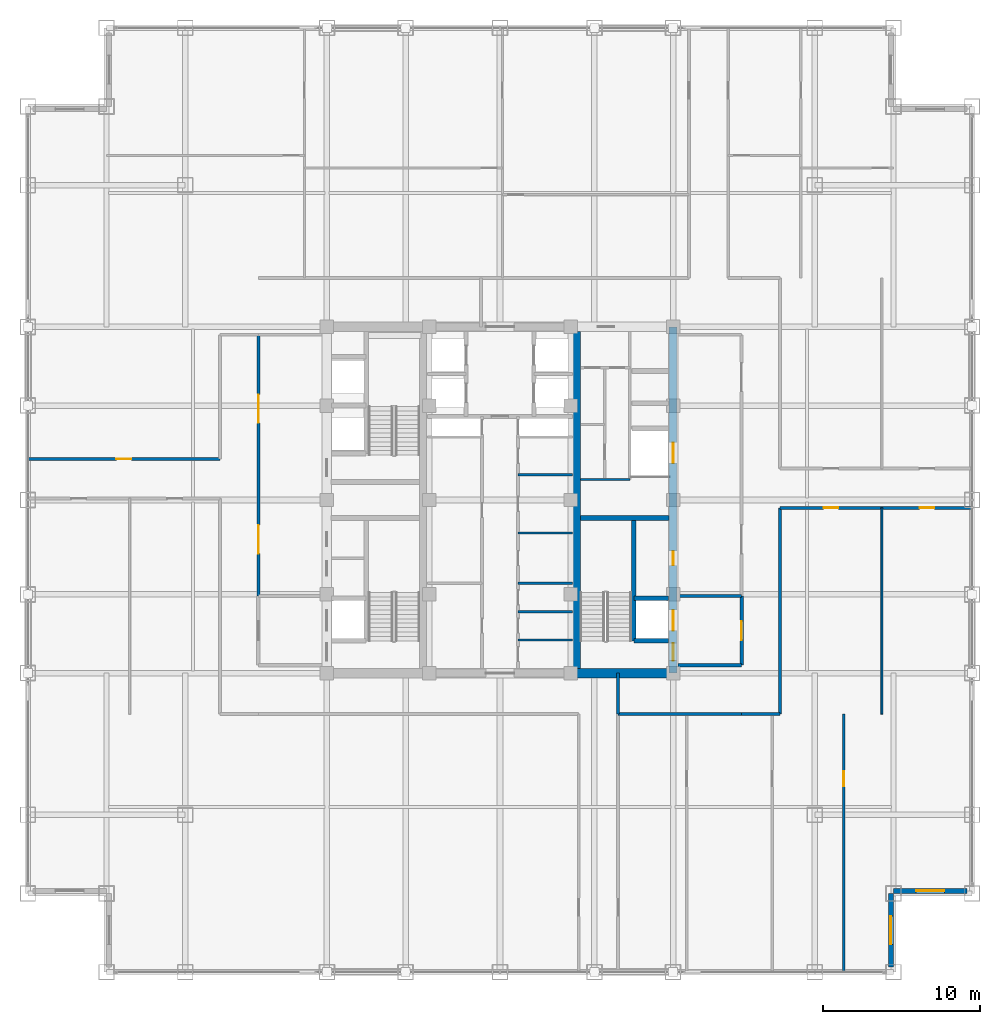
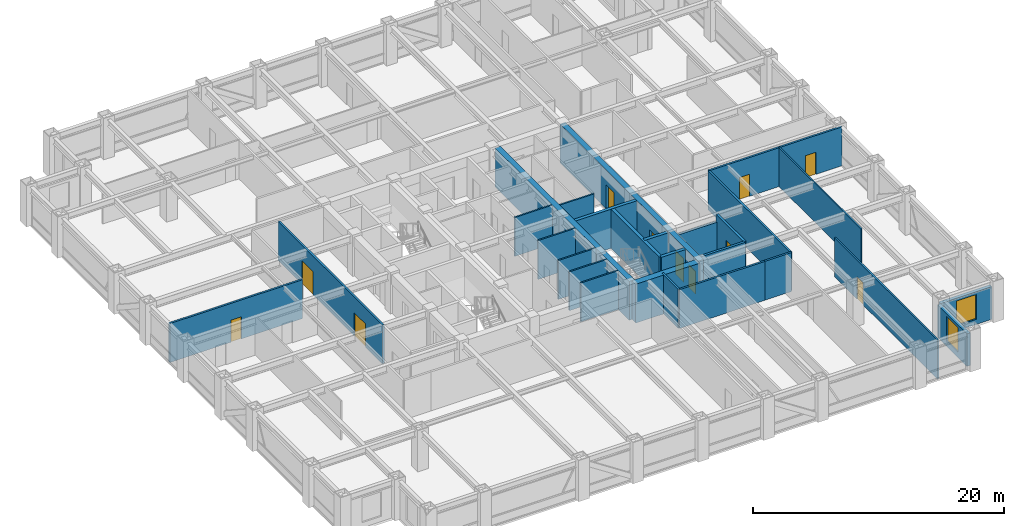
# One storey, part 21 of 25: 27 walls, 11 doors, 2 windows, 13 openings.
"""IFC4 building model written with IfcOpenShell, lengths in metres."""

from ifc_helpers import new_model, si_unit, direction, frame, frame_2d, origin, place, context, subcontext, project, spatial, rectangle, extrude, source, transform, mapped, material, layer, layer_set, type_object, element, fill, save


model = new_model("IFC4")

# Units and contexts
model_context = context("Model", 3, precision=1e-05, world=origin(), true_north=direction((0.0, 1.0)))
body_context = subcontext(model_context, "Body", "Model", "MODEL_VIEW")
ifc_project = project(units=[si_unit("LENGTHUNIT", "METRE"), si_unit("AREAUNIT", "SQUARE_METRE"), si_unit("VOLUMEUNIT", "CUBIC_METRE"), si_unit("PLANEANGLEUNIT", "RADIAN"), si_unit("MASSUNIT", "GRAM", prefix="KILO")], contexts=[model_context])

# Site, building, storey
site_placement = place(None, origin())
site = spatial("IfcSite", under=ifc_project, at=site_placement, CompositionType="ELEMENT")
building_placement = place(site_placement, origin())
building = spatial("IfcBuilding", under=site, at=building_placement, Name="Khorayat Bourse Tower", CompositionType="ELEMENT")
storey_placement = place(building_placement, frame((0.0, 0.0, 231.10009765625)))
storey = spatial("IfcBuildingStorey", under=building, at=storey_placement, Name="L54", CompositionType="ELEMENT", Elevation=231.10009765625)

# Wall
ifc_material_1 = material(Name="Concrete C52/65", Category="concrete")
ifc_layer_1 = layer(ifc_material_1, 0.5)
ifc_layer_set_1 = layer_set([ifc_layer_1], Name="Concrete C52/65")
wall_type_1 = type_object("IfcWallType", Name="WAL-CORE-500", PredefinedType="SHEAR", material=ifc_layer_set_1)
shared_shape_1 = source(origin(), body_context, "Body", "SweptSolid", [
    extrude(rectangle(XDim=21.39990234375, YDim=0.5, at=frame_2d((10.699951171875, 0.0))), origin(), (0.0, 0.0, 1.0), 3.77978515625),
])
wall_1_placement = place(storey_placement, frame((4.85009765625, -10.699951171875, 0.0), z_axis=(0.0, 0.0, 1.0), x_axis=(0.0, 1.0, 0.0)))
element("IfcWall", 1, at=wall_1_placement, inside=storey, type_object=wall_type_1, Name="L54 Core Shear Wall PIER-E", PredefinedType="SHEAR", context=body_context, shape_type="MappedRepresentation", body=[
    mapped(shared_shape_1, transform((0.0, 0.0, 0.0), scale=1.0)),
])

# Wall, openings, doors
shared_shape_2 = source(origin(), body_context, "Body", "SweptSolid", [
    extrude(rectangle(XDim=22.0, YDim=0.5, at=frame_2d((11.0, 0.0))), origin(), (0.0, 0.0, 1.0), 3.77978515625),
])
wall_2_placement = place(storey_placement, frame((11.0, -11.0, 0.0), z_axis=(0.0, 0.0, 1.0), x_axis=(0.0, 1.0, 0.0)))
wall_2 = element("IfcWall", 2, at=wall_2_placement, inside=storey, type_object=wall_type_1, Name="L54 Core Shear Wall CORE-E", PredefinedType="SHEAR", context=body_context, shape_type="MappedRepresentation", body=[
    mapped(shared_shape_2, transform((0.0, 0.0, 0.0), scale=1.0)),
])
shared_shape_3 = source(origin(), body_context, "Body", "SweptSolid", [
    extrude(rectangle(XDim=1.10009765625, YDim=2.199951171875, at=frame_2d((0.550048828125, 1.10009765625))), frame((0.0, 0.260009765625, 0.0), z_axis=(0.0, -1.0, 0.0), x_axis=(1.0, 0.0, 0.0)), (0.0, 0.0, 1.0), 0.52001953125),
])
opening_1_placement = place(wall_2_placement, frame((0.800048828125, 0.0, 0.0)))
opening_1 = element("IfcOpeningElement", 3, at=opening_1_placement, cuts=wall_2, Name="Opening DI-01", PredefinedType="OPENING", context=body_context, shape_type="MappedRepresentation", body=[
    mapped(shared_shape_3, transform((0.0, 0.0, 0.0), scale=1.0)),
])
shared_shape_4 = source(origin(), body_context, "Body", "SweptSolid", [
    extrude(rectangle(XDim=0.89990234375, YDim=2.14990234375, at=frame_2d((0.449951171875, 1.074951171875))), frame((0.0, 0.260009765625, 0.0), z_axis=(0.0, -1.0, 0.0), x_axis=(1.0, 0.0, 0.0)), (0.0, 0.0, 1.0), 0.52001953125),
])
opening_2_placement = place(wall_2_placement, frame((6.85009765625, 0.0, 0.0)))
opening_2 = element("IfcOpeningElement", 4, at=opening_2_placement, cuts=wall_2, Name="Opening DI-06", PredefinedType="OPENING", context=body_context, shape_type="MappedRepresentation", body=[
    mapped(shared_shape_4, transform((0.0, 0.0, 0.0), scale=1.0)),
])
shared_shape_5 = source(origin(), body_context, "Body", "SweptSolid", [
    extrude(rectangle(XDim=1.300048828125, YDim=2.300048828125, at=frame_2d((0.64990234375, 1.14990234375))), frame((0.0, 0.260009765625, 0.0), z_axis=(0.0, -1.0, 0.0), x_axis=(1.0, 0.0, 0.0)), (0.0, 0.0, 1.0), 0.52001953125),
])
opening_3_placement = place(wall_2_placement, frame((2.699951171875, 0.0, 0.0)))
opening_3 = element("IfcOpeningElement", 5, at=opening_3_placement, cuts=wall_2, Name="Opening LD-02", PredefinedType="OPENING", context=body_context, shape_type="MappedRepresentation", body=[
    mapped(shared_shape_5, transform((0.0, 0.0, 0.0), scale=1.0)),
])
opening_4_placement = place(wall_2_placement, frame((13.35009765625, 0.0, 0.0)))
opening_4 = element("IfcOpeningElement", 6, at=opening_4_placement, cuts=wall_2, Name="Opening LD-02", PredefinedType="OPENING", context=body_context, shape_type="MappedRepresentation", body=[
    mapped(shared_shape_5, transform((0.0, 0.0, 0.0), scale=1.0)),
])
ifc_material_2 = material(Name="Fire-rated steel acoustic leaf", Category="steel")
door_type_1 = type_object("IfcDoorType", Name="DR-INT-STAIR-1100", OperationType="NOTDEFINED", PredefinedType="DOOR", material=ifc_material_2)
shared_shape_6 = source(origin(), body_context, "Body", "SweptSolid", [
    extrude(rectangle(XDim=1.10009765625, YDim=2.199951171875, at=frame_2d((0.550048828125, 1.10009765625))), frame((0.0, 0.02490234375, 0.0), z_axis=(0.0, -1.0, 0.0), x_axis=(1.0, 0.0, 0.0)), (0.0, 0.0, 1.0), 0.050048828125),
])
door_1_placement = place(opening_1_placement, origin())
door_1 = element("IfcDoor", 7, at=door_1_placement, inside=storey, type_object=door_type_1, Name="L54 Exit Stair 3 Door", OperationType="SINGLE_SWING_LEFT", OverallHeight=2.199951171875, OverallWidth=1.10009765625, PredefinedType="DOOR", context=body_context, shape_type="MappedRepresentation", body=[
    mapped(shared_shape_6, transform((0.0, 0.0, 0.0), scale=1.0)),
])
fill(opening_1, door_1)
ifc_material_3 = material(Name="Moisture-resistant laminate washroom door")
door_type_2 = type_object("IfcDoorType", Name="DR-INT-WC-900", OperationType="NOTDEFINED", PredefinedType="DOOR", material=ifc_material_3)
shared_shape_7 = source(origin(), body_context, "Body", "SweptSolid", [
    extrude(rectangle(XDim=0.89990234375, YDim=2.14990234375, at=frame_2d((0.449951171875, 1.074951171875))), frame((0.0, 0.02490234375, 0.0), z_axis=(0.0, -1.0, 0.0), x_axis=(1.0, 0.0, 0.0)), (0.0, 0.0, 1.0), 0.050048828125),
])
door_2_placement = place(opening_2_placement, origin())
door_2 = element("IfcDoor", 8, at=door_2_placement, inside=storey, type_object=door_type_2, Name="L54 Telecom Server Plant Room Door", OperationType="SINGLE_SWING_LEFT", OverallHeight=2.14990234375, OverallWidth=0.89990234375, PredefinedType="DOOR", context=body_context, shape_type="MappedRepresentation", body=[
    mapped(shared_shape_7, transform((0.0, 0.0, 0.0), scale=1.0)),
])
fill(opening_2, door_2)
ifc_material_4 = material(Name="Fire-rated stainless-steel sliding landing door", Category="steel")
door_type_3 = type_object("IfcDoorType", Name="DR-LIFT-FF-1300", OperationType="NOTDEFINED", PredefinedType="DOOR", material=ifc_material_4)
shared_shape_8 = source(origin(), body_context, "Body", "SweptSolid", [
    extrude(rectangle(XDim=1.300048828125, YDim=2.300048828125, at=frame_2d((0.64990234375, 1.14990234375))), frame((0.0, 0.02490234375, 0.0), z_axis=(0.0, -1.0, 0.0), x_axis=(1.0, 0.0, 0.0)), (0.0, 0.0, 1.0), 0.050048828125),
])
door_3_placement = place(opening_3_placement, origin())
door_3 = element("IfcDoor", 9, at=door_3_placement, inside=storey, type_object=door_type_3, Name="L54 Lift FFL-02 Sliding Landing Door", OperationType="SLIDING_TO_LEFT", OverallHeight=2.300048828125, OverallWidth=1.300048828125, PredefinedType="DOOR", context=body_context, shape_type="MappedRepresentation", body=[
    mapped(shared_shape_8, transform((0.0, 0.0, 0.0), scale=1.0)),
])
fill(opening_3, door_3)
door_4_placement = place(opening_4_placement, origin())
door_4 = element("IfcDoor", 10, at=door_4_placement, inside=storey, type_object=door_type_3, Name="L54 Lift SVL-01 Sliding Landing Door", OperationType="SLIDING_TO_LEFT", OverallHeight=2.300048828125, OverallWidth=1.300048828125, PredefinedType="DOOR", context=body_context, shape_type="MappedRepresentation", body=[
    mapped(shared_shape_8, transform((0.0, 0.0, 0.0), scale=1.0)),
])
fill(opening_4, door_4)

# Walls
ifc_material_5 = material(Name="Concrete C60/75", Category="concrete")
ifc_layer_2 = layer(ifc_material_5, 0.60009765625)
ifc_layer_set_2 = layer_set([ifc_layer_2], Name="Concrete C60/75")
wall_type_2 = type_object("IfcWallType", Name="WAL-CORE-600", PredefinedType="SHEAR", material=ifc_layer_set_2)
shared_shape_9 = source(origin(), body_context, "Body", "SweptSolid", [
    extrude(rectangle(XDim=5.89990234375, YDim=0.60009765625, at=frame_2d((2.949951171875, 0.0))), origin(), (0.0, 0.0, 1.0), 3.77978515625),
])
wall_3_placement = place(storey_placement, frame((4.85009765625, -11.0, 0.0), z_axis=(0.0, 0.0, 1.0), x_axis=(1.0, 0.0, 0.0)))
element("IfcWall", 11, at=wall_3_placement, inside=storey, type_object=wall_type_2, Name="L54 Core Shear Wall PIER-ES", PredefinedType="SHEAR", context=body_context, shape_type="MappedRepresentation", body=[
    mapped(shared_shape_9, transform((0.0, 0.0, 0.0), scale=1.0)),
])
ifc_material_6 = material(Name="Concrete C50/60", Category="concrete")
ifc_layer_3 = layer(ifc_material_6, 0.300048828125)
ifc_layer_set_3 = layer_set([ifc_layer_3], Name="Concrete C50/60")
wall_type_3 = type_object("IfcWallType", Name="WAL-SHAFT-300", PredefinedType="SHEAR", material=ifc_layer_set_3)
shared_shape_10 = source(origin(), body_context, "Body", "SweptSolid", [
    extrude(rectangle(XDim=5.64990234375, YDim=0.300048828125, at=frame_2d((2.824951171875, 0.0))), origin(), (0.0, 0.0, 1.0), 3.77978515625),
])
wall_4_placement = place(storey_placement, frame((5.10009765625, -1.14990234375, 0.0), z_axis=(0.0, 0.0, 1.0), x_axis=(1.0, 0.0, 0.0)))
element("IfcWall", 12, at=wall_4_placement, inside=storey, type_object=wall_type_3, Name="L54 Core Shear Wall ST3-DIV", PredefinedType="SHEAR", context=body_context, shape_type="MappedRepresentation", body=[
    mapped(shared_shape_10, transform((0.0, 0.0, 0.0), scale=1.0)),
])

# Wall, opening, window
ifc_material_7 = material(Name="Precast concrete C45/55", Category="concrete")
ifc_layer_4 = layer(ifc_material_7, 0.320068359375)
ifc_layer_set_4 = layer_set([ifc_layer_4], Name="Precast concrete C45/55")
wall_type_4 = type_object("IfcWallType", Name="WAL-EXT-STONE-320", PredefinedType="STANDARD", material=ifc_layer_set_4)
shared_shape_11 = source(origin(), body_context, "Body", "SweptSolid", [
    extrude(rectangle(XDim=4.679931640625, YDim=0.320068359375, at=frame_2d((2.33984375, 0.0))), origin(), (0.0, 0.0, 1.0), 3.163818359375),
])
wall_5_placement = place(storey_placement, frame((24.840087890625, -29.679931640625, 0.0), z_axis=(0.0, 0.0, 1.0), x_axis=(0.0, 1.0, 0.0)))
wall_5 = element("IfcWall", 13, at=wall_5_placement, inside=storey, type_object=wall_type_4, Name="L54 Re-Entrant Notch Limestone Wall SE-V", PredefinedType="STANDARD", context=body_context, shape_type="MappedRepresentation", body=[
    mapped(shared_shape_11, transform((0.0, 0.0, 0.0), scale=1.0)),
])
shared_shape_12 = source(origin(), body_context, "Body", "SweptSolid", [
    extrude(rectangle(XDim=1.800048828125, YDim=2.39990234375, at=frame_2d((0.89990234375, 1.199951171875))), frame((0.0, 0.169921875, 0.0), z_axis=(0.0, -1.0, 0.0), x_axis=(1.0, 0.0, 0.0)), (0.0, 0.0, 1.0), 0.340087890625),
])
opening_5_placement = place(wall_5_placement, frame((1.43994140625, 0.0, 0.5)))
opening_5 = element("IfcOpeningElement", 14, at=opening_5_placement, cuts=wall_5, Name="Opening WN-04", PredefinedType="OPENING", context=body_context, shape_type="MappedRepresentation", body=[
    mapped(shared_shape_12, transform((0.0, 0.0, 0.0), scale=1.0)),
])
ifc_material_8 = material(Name="Low-E acoustic laminated double glazing", Category="glass")
window_type = type_object("IfcWindowType", Name="WIN-NOTCH-1800x2400", PartitioningType="SINGLE_PANEL", PredefinedType="WINDOW", material=ifc_material_8)
shared_shape_13 = source(origin(), body_context, "Body", "SweptSolid", [
    extrude(rectangle(XDim=1.800048828125, YDim=2.39990234375, at=frame_2d((0.89990234375, 1.199951171875))), frame((0.0, 0.030029296875, 0.0), z_axis=(0.0, -1.0, 0.0), x_axis=(1.0, 0.0, 0.0)), (0.0, 0.0, 1.0), 0.06005859375),
])
window_1_placement = place(opening_5_placement, origin())
window_1 = element("IfcWindow", 15, at=window_1_placement, inside=storey, type_object=window_type, Name="L54 Facade Window 1", OverallHeight=2.39990234375, OverallWidth=1.800048828125, PartitioningType="SINGLE_PANEL", PredefinedType="WINDOW", context=body_context, shape_type="MappedRepresentation", body=[
    mapped(shared_shape_13, transform((0.0, 0.0, 0.0), scale=1.0)),
])
fill(opening_5, window_1)

wall_6_placement = place(storey_placement, frame((25.0, -24.840087890625, 0.0), z_axis=(0.0, 0.0, 1.0), x_axis=(1.0, 0.0, 0.0)))
wall_6 = element("IfcWall", 16, at=wall_6_placement, inside=storey, type_object=wall_type_4, Name="L54 Re-Entrant Notch Limestone Wall SE-H", PredefinedType="STANDARD", context=body_context, shape_type="MappedRepresentation", body=[
    mapped(shared_shape_11, transform((0.0, 0.0, 0.0), scale=1.0)),
])
opening_6_placement = place(wall_6_placement, frame((1.43994140625, 0.0, 0.5)))
opening_6 = element("IfcOpeningElement", 17, at=opening_6_placement, cuts=wall_6, Name="Opening WN-04", PredefinedType="OPENING", context=body_context, shape_type="MappedRepresentation", body=[
    mapped(shared_shape_12, transform((0.0, 0.0, 0.0), scale=1.0)),
])
window_2_placement = place(opening_6_placement, origin())
window_2 = element("IfcWindow", 18, at=window_2_placement, inside=storey, type_object=window_type, Name="L54 Facade Window 1", OverallHeight=2.39990234375, OverallWidth=1.800048828125, PartitioningType="SINGLE_PANEL", PredefinedType="WINDOW", context=body_context, shape_type="MappedRepresentation", body=[
    mapped(shared_shape_13, transform((0.0, 0.0, 0.0), scale=1.0)),
])
fill(opening_6, window_2)

# Walls
ifc_material_9 = material(Name="Aerated concrete blockwork", Category="masonry")
ifc_layer_5 = layer(ifc_material_9, 0.219970703125)
ifc_layer_set_5 = layer_set([ifc_layer_5], Name="Aerated concrete blockwork")
wall_type_5 = type_object("IfcWallType", Name="WAL-PART-FF-220", PredefinedType="PARTITIONING", material=ifc_layer_set_5)
shared_shape_14 = source(origin(), body_context, "Body", "SweptSolid", [
    extrude(rectangle(XDim=4.050048828125, YDim=0.219970703125, at=frame_2d((2.02490234375, 0.0))), origin(), (0.0, 0.0, 1.0), 3.0849609375),
])
wall_7_placement = place(storey_placement, frame((11.300048828125, -6.10009765625, 0.0), z_axis=(0.0, 0.0, 1.0), x_axis=(1.0, 0.0, 0.0)))
element("IfcWall", 19, at=wall_7_placement, inside=storey, type_object=wall_type_5, Name="L54 Partition WAL-L54-FFLE-N", PredefinedType="PARTITIONING", context=body_context, shape_type="MappedRepresentation", body=[
    mapped(shared_shape_14, transform((0.0, 0.0, 0.0), scale=1.0)),
])
shared_shape_15 = source(origin(), body_context, "Body", "SweptSolid", [
    extrude(rectangle(XDim=7.800048828125, YDim=0.300048828125, at=frame_2d((3.89990234375, 0.0))), origin(), (0.0, 0.0, 1.0), 3.77978515625),
])
wall_8_placement = place(storey_placement, frame((8.5, -8.949951171875, 0.0), z_axis=(0.0, 0.0, 1.0), x_axis=(0.0, 1.0, 0.0)))
element("IfcWall", 20, at=wall_8_placement, inside=storey, type_object=wall_type_3, Name="L54 Partition WAL-L54-EPIER-SP", PredefinedType="SHEAR", context=body_context, shape_type="MappedRepresentation", body=[
    mapped(shared_shape_15, transform((0.0, 0.0, 0.0), scale=1.0)),
])
shared_shape_16 = source(origin(), body_context, "Body", "SweptSolid", [
    extrude(rectangle(XDim=2.199951171875, YDim=0.300048828125, at=frame_2d((1.10009765625, 0.0))), origin(), (0.0, 0.0, 1.0), 3.77978515625),
])
for number, where, z_axis, x_axis, name in (
    (21, (8.5, -8.949951171875, 0.0), (0.0, 0.0, 1.0), (1.0, 0.0, 0.0), "L54 Partition WAL-L54-EPIER-FF2S"),
    (22, (8.5, -6.25, 0.0), (0.0, 0.0, 1.0), (1.0, 0.0, 0.0), "L54 Partition WAL-L54-EPIER-FF2N"),
):
    element("IfcWall", number, at=place(storey_placement, frame(where, z_axis=z_axis, x_axis=x_axis)), inside=storey, type_object=wall_type_3, Name=name, PredefinedType="SHEAR", context=body_context, shape_type="MappedRepresentation", body=[
        mapped(shared_shape_16, transform((0.0, 0.0, 0.0), scale=1.0)),
    ])
ifc_material_10 = material(Name="Moisture-resistant masonry partition", Category="masonry")
ifc_layer_6 = layer(ifc_material_10, 0.139892578125)
ifc_layer_set_6 = layer_set([ifc_layer_6], Name="Moisture-resistant masonry partition")
wall_type_6 = type_object("IfcWallType", Name="WAL-PART-WET-140", PredefinedType="PARTITIONING", material=ifc_layer_set_6)
shared_shape_17 = source(origin(), body_context, "Body", "SweptSolid", [
    extrude(rectangle(XDim=3.14990234375, YDim=0.139892578125, at=frame_2d((1.574951171875, 0.0))), origin(), (0.0, 0.0, 1.0), 3.77978515625),
])
wall_9_placement = place(storey_placement, frame((5.10009765625, 1.300048828125, 0.0), z_axis=(0.0, 0.0, 1.0), x_axis=(1.0, 0.0, 0.0)))
element("IfcWall", 23, at=wall_9_placement, inside=storey, type_object=wall_type_6, Name="L54 Partition WAL-L54-ECORE-S", PredefinedType="PARTITIONING", context=body_context, shape_type="MappedRepresentation", body=[
    mapped(shared_shape_17, transform((0.0, 0.0, 0.0), scale=1.0)),
])
shared_shape_18 = source(origin(), body_context, "Body", "SweptSolid", [
    extrude(rectangle(XDim=4.050048828125, YDim=0.219970703125, at=frame_2d((2.02490234375, 0.0))), origin(), (0.0, 0.0, 1.0), 3.77978515625),
])
wall_10_placement = place(storey_placement, frame((11.300048828125, -10.5, 0.0), z_axis=(0.0, 0.0, 1.0), x_axis=(1.0, 0.0, 0.0)))
element("IfcWall", 24, at=wall_10_placement, inside=storey, type_object=wall_type_5, Name="L54 Partition WAL-L54-FFLE-S", PredefinedType="PARTITIONING", context=body_context, shape_type="MappedRepresentation", body=[
    mapped(shared_shape_18, transform((0.0, 0.0, 0.0), scale=1.0)),
])

# Wall, opening, door
shared_shape_19 = source(origin(), body_context, "Body", "SweptSolid", [
    extrude(rectangle(XDim=4.39990234375, YDim=0.219970703125, at=frame_2d((2.199951171875, 0.0))), origin(), (0.0, 0.0, 1.0), 3.77978515625),
])
wall_11_placement = place(storey_placement, frame((15.35009765625, -10.5, 0.0), z_axis=(0.0, 0.0, 1.0), x_axis=(0.0, 1.0, 0.0)))
wall_11 = element("IfcWall", 25, at=wall_11_placement, inside=storey, type_object=wall_type_5, Name="L54 Partition WAL-L54-FFLE-E", PredefinedType="PARTITIONING", context=body_context, shape_type="MappedRepresentation", body=[
    mapped(shared_shape_19, transform((0.0, 0.0, 0.0), scale=1.0)),
])
shared_shape_20 = source(origin(), body_context, "Body", "SweptSolid", [
    extrude(rectangle(XDim=1.199951171875, YDim=2.199951171875, at=frame_2d((0.60009765625, 1.10009765625))), frame((0.0, 0.119873046875, 0.0), z_axis=(0.0, -1.0, 0.0), x_axis=(1.0, 0.0, 0.0)), (0.0, 0.0, 1.0), 0.239990234375),
])
opening_7_placement = place(wall_11_placement, frame((1.60009765625, 0.0, 0.0)))
opening_7 = element("IfcOpeningElement", 26, at=opening_7_placement, cuts=wall_11, Name="Opening DI-02", PredefinedType="OPENING", context=body_context, shape_type="MappedRepresentation", body=[
    mapped(shared_shape_20, transform((0.0, 0.0, 0.0), scale=1.0)),
])
ifc_material_11 = material(Name="Fire-rated steel double-seal leaf", Category="steel")
door_type_4 = type_object("IfcDoorType", Name="DR-INT-FFLOBBY-1200", OperationType="NOTDEFINED", PredefinedType="DOOR", material=ifc_material_11)
shared_shape_21 = source(origin(), body_context, "Body", "SweptSolid", [
    extrude(rectangle(XDim=1.199951171875, YDim=2.199951171875, at=frame_2d((0.60009765625, 1.10009765625))), frame((0.0, 0.02490234375, 0.0), z_axis=(0.0, -1.0, 0.0), x_axis=(1.0, 0.0, 0.0)), (0.0, 0.0, 1.0), 0.050048828125),
])
door_5_placement = place(opening_7_placement, origin())
door_5 = element("IfcDoor", 27, at=door_5_placement, inside=storey, type_object=door_type_4, Name="L54 East Firefighting Lobby Door", OperationType="SINGLE_SWING_RIGHT", OverallHeight=2.199951171875, OverallWidth=1.199951171875, PredefinedType="DOOR", context=body_context, shape_type="MappedRepresentation", body=[
    mapped(shared_shape_21, transform((0.0, 0.0, 0.0), scale=1.0)),
])
fill(opening_7, door_5)

# Wall, openings, doors
ifc_material_12 = material(Name="Gypsum plasterboard acoustic stud wall")
ifc_layer_7 = layer(ifc_material_12, 0.179931640625)
ifc_layer_set_7 = layer_set([ifc_layer_7], Name="Gypsum plasterboard acoustic stud wall")
wall_type_7 = type_object("IfcWallType", Name="WAL-PART-CORR-180", PredefinedType="PARTITIONING", material=ifc_layer_set_7)
shared_shape_22 = source(origin(), body_context, "Body", "SweptSolid", [
    extrude(rectangle(XDim=16.60009765625, YDim=0.179931640625, at=frame_2d((8.300048828125, 0.0))), origin(), (0.0, 0.0, 1.0), 3.77978515625),
])
wall_12_placement = place(storey_placement, frame((-15.35009765625, -6.10009765625, 0.0), z_axis=(0.0, 0.0, 1.0), x_axis=(0.0, 1.0, 0.0)))
wall_12 = element("IfcWall", 28, at=wall_12_placement, inside=storey, type_object=wall_type_7, Name="L54 Partition WAL-L54-WLOB-W", PredefinedType="PARTITIONING", context=body_context, shape_type="MappedRepresentation", body=[
    mapped(shared_shape_22, transform((0.0, 0.0, 0.0), scale=1.0)),
])
shared_shape_23 = source(origin(), body_context, "Body", "SweptSolid", [
    extrude(rectangle(XDim=1.800048828125, YDim=2.25, at=frame_2d((0.89990234375, 1.125))), frame((0.0, 0.099853515625, 0.0), z_axis=(0.0, -1.0, 0.0), x_axis=(1.0, 0.0, 0.0)), (0.0, 0.0, 1.0), 0.199951171875),
])
opening_8_placement = place(wall_12_placement, frame((2.699951171875, 0.0, 0.0)))
opening_8 = element("IfcOpeningElement", 29, at=opening_8_placement, cuts=wall_12, Name="Opening DI-03", PredefinedType="OPENING", context=body_context, shape_type="MappedRepresentation", body=[
    mapped(shared_shape_23, transform((0.0, 0.0, 0.0), scale=1.0)),
])
opening_9_placement = place(wall_12_placement, frame((11.0, 0.0, 0.0)))
opening_9 = element("IfcOpeningElement", 30, at=opening_9_placement, cuts=wall_12, Name="Opening DI-03", PredefinedType="OPENING", context=body_context, shape_type="MappedRepresentation", body=[
    mapped(shared_shape_23, transform((0.0, 0.0, 0.0), scale=1.0)),
])
ifc_material_13 = material(Name="Fire-rated hardwood vision-panel double leaf", Category="wood")
door_type_5 = type_object("IfcDoorType", Name="DR-INT-CORR-1800", OperationType="NOTDEFINED", PredefinedType="DOOR", material=ifc_material_13)
shared_shape_24 = source(origin(), body_context, "Body", "SweptSolid", [
    extrude(rectangle(XDim=1.800048828125, YDim=2.25, at=frame_2d((0.89990234375, 1.125))), frame((0.0, 0.02490234375, 0.0), z_axis=(0.0, -1.0, 0.0), x_axis=(1.0, 0.0, 0.0)), (0.0, 0.0, 1.0), 0.050048828125),
])
door_6_placement = place(opening_8_placement, origin())
door_6 = element("IfcDoor", 31, at=door_6_placement, inside=storey, type_object=door_type_5, Name="L54 West Core Lobby South Door", OperationType="SINGLE_SWING_LEFT", OverallHeight=2.25, OverallWidth=1.800048828125, PredefinedType="DOOR", context=body_context, shape_type="MappedRepresentation", body=[
    mapped(shared_shape_24, transform((0.0, 0.0, 0.0), scale=1.0)),
])
fill(opening_8, door_6)
door_7_placement = place(opening_9_placement, origin())
door_7 = element("IfcDoor", 32, at=door_7_placement, inside=storey, type_object=door_type_5, Name="L54 West Core Lobby North Door", OperationType="SINGLE_SWING_RIGHT", OverallHeight=2.25, OverallWidth=1.800048828125, PredefinedType="DOOR", context=body_context, shape_type="MappedRepresentation", body=[
    mapped(shared_shape_24, transform((0.0, 0.0, 0.0), scale=1.0)),
])
fill(opening_9, door_7)

# Walls
ifc_material_14 = material(Name="Gypsum plasterboard twin-frame partition")
ifc_layer_8 = layer(ifc_material_14, 0.14990234375)
ifc_layer_set_8 = layer_set([ifc_layer_8], Name="Gypsum plasterboard twin-frame partition")
wall_type_8 = type_object("IfcWallType", Name="WAL-PART-SUITE-150", PredefinedType="PARTITIONING", material=ifc_layer_set_8)
shared_shape_25 = source(origin(), body_context, "Body", "SweptSolid", [
    extrude(rectangle(XDim=3.4501953125, YDim=0.14990234375, at=frame_2d((1.72509765625, 0.0))), origin(), (0.0, 0.0, 1.0), 3.77978515625),
])
wall_13_placement = place(storey_placement, frame((1.14990234375, -5.300048828125, 0.0), z_axis=(0.0, 0.0, 1.0), x_axis=(1.0, 0.0, 0.0)))
element("IfcWall", 33, at=wall_13_placement, inside=storey, type_object=wall_type_8, Name="L54 Partition WAL-L54-FB1-NE", PredefinedType="PARTITIONING", context=body_context, shape_type="MappedRepresentation", body=[
    mapped(shared_shape_25, transform((0.0, 0.0, 0.0), scale=1.0)),
])
shared_shape_26 = source(origin(), body_context, "Body", "SweptSolid", [
    extrude(rectangle(XDim=3.4501953125, YDim=0.139892578125, at=frame_2d((1.72509765625, 0.0))), origin(), (0.0, 0.0, 1.0), 3.77978515625),
])
for number, where, z_axis, x_axis, name in (
    (34, (1.14990234375, -8.89990234375, 0.0), (0.0, 0.0, 1.0), (1.0, 0.0, 0.0), "L54 Partition WAL-L54-FB1E-D1"),
    (35, (1.14990234375, -7.10009765625, 0.0), (0.0, 0.0, 1.0), (1.0, 0.0, 0.0), "L54 Partition WAL-L54-FB1E-D2"),
    (36, (1.14990234375, -2.10009765625, 0.0), (0.0, 0.0, 1.0), (1.0, 0.0, 0.0), "L54 Partition WAL-L54-CME-D1"),
    (37, (1.14990234375, 1.60009765625, 0.0), (0.0, 0.0, 1.0), (1.0, 0.0, 0.0), "L54 Partition WAL-L54-CME-D2"),
):
    element("IfcWall", number, at=place(storey_placement, frame(where, z_axis=z_axis, x_axis=x_axis)), inside=storey, type_object=wall_type_6, Name=name, PredefinedType="PARTITIONING", context=body_context, shape_type="MappedRepresentation", body=[
        mapped(shared_shape_26, transform((0.0, 0.0, 0.0), scale=1.0)),
    ])
shared_shape_27 = source(origin(), body_context, "Body", "SweptSolid", [
    extrude(rectangle(XDim=2.449951171875, YDim=0.179931640625, at=frame_2d((1.22509765625, 0.0))), origin(), (0.0, 0.0, 1.0), 3.77978515625),
])
wall_14_placement = place(storey_placement, frame((15.35009765625, -13.60009765625, 0.0), z_axis=(0.0, 0.0, 1.0), x_axis=(1.0, 0.0, 0.0)))
element("IfcWall", 38, at=wall_14_placement, inside=storey, type_object=wall_type_7, Name="L54 Partition WAL-L54-C2-ES", PredefinedType="PARTITIONING", context=body_context, shape_type="MappedRepresentation", body=[
    mapped(shared_shape_27, transform((0.0, 0.0, 0.0), scale=1.0)),
])

# Wall, opening, door
shared_shape_28 = source(origin(), body_context, "Body", "SweptSolid", [
    extrude(rectangle(XDim=12.199951171875, YDim=0.179931640625, at=frame_2d((6.10009765625, 0.0))), origin(), (0.0, 0.0, 1.0), 3.77978515625),
])
wall_15_placement = place(storey_placement, frame((-30.0, 2.60009765625, 0.0), z_axis=(0.0, 0.0, 1.0), x_axis=(1.0, 0.0, 0.0)))
wall_15 = element("IfcWall", 39, at=wall_15_placement, inside=storey, type_object=wall_type_7, Name="L54 Partition WAL-L54-WN-SPK", PredefinedType="PARTITIONING", context=body_context, shape_type="MappedRepresentation", body=[
    mapped(shared_shape_28, transform((0.0, 0.0, 0.0), scale=1.0)),
])
shared_shape_29 = source(origin(), body_context, "Body", "SweptSolid", [
    extrude(rectangle(XDim=0.949951171875, YDim=2.14990234375, at=frame_2d((0.47509765625, 1.074951171875))), frame((0.0, 0.099853515625, 0.0), z_axis=(0.0, -1.0, 0.0), x_axis=(1.0, 0.0, 0.0)), (0.0, 0.0, 1.0), 0.199951171875),
])
opening_10_placement = place(wall_15_placement, frame((5.625, 0.0, 0.0)))
opening_10 = element("IfcOpeningElement", 40, at=opening_10_placement, cuts=wall_15, Name="Opening DI-05", PredefinedType="OPENING", context=body_context, shape_type="MappedRepresentation", body=[
    mapped(shared_shape_29, transform((0.0, 0.0, 0.0), scale=1.0)),
])
ifc_material_15 = material(Name="Acoustic oak veneer office door")
door_type_6 = type_object("IfcDoorType", Name="DR-INT-OFFICE-950", OperationType="NOTDEFINED", PredefinedType="DOOR", material=ifc_material_15)
shared_shape_30 = source(origin(), body_context, "Body", "SweptSolid", [
    extrude(rectangle(XDim=0.949951171875, YDim=2.14990234375, at=frame_2d((0.47509765625, 1.074951171875))), frame((0.0, 0.02490234375, 0.0), z_axis=(0.0, -1.0, 0.0), x_axis=(1.0, 0.0, 0.0)), (0.0, 0.0, 1.0), 0.050048828125),
])
door_8_placement = place(opening_10_placement, origin())
door_8 = element("IfcDoor", 41, at=door_8_placement, inside=storey, type_object=door_type_6, Name="L54 Executive Wellness Fitness Gym WN Door", OperationType="SINGLE_SWING_LEFT", OverallHeight=2.14990234375, OverallWidth=0.949951171875, PredefinedType="DOOR", context=body_context, shape_type="MappedRepresentation", body=[
    mapped(shared_shape_30, transform((0.0, 0.0, 0.0), scale=1.0)),
])
fill(opening_10, door_8)

# Wall, openings, doors
wall_16_placement = place(storey_placement, frame((17.800048828125, -0.5, 0.0), z_axis=(0.0, 0.0, 1.0), x_axis=(1.0, 0.0, 0.0)))
wall_16 = element("IfcWall", 42, at=wall_16_placement, inside=storey, type_object=wall_type_7, Name="L54 Partition WAL-L54-ES-SPK", PredefinedType="PARTITIONING", context=body_context, shape_type="MappedRepresentation", body=[
    mapped(shared_shape_28, transform((0.0, 0.0, 0.0), scale=1.0)),
])
opening_11_placement = place(wall_16_placement, frame((2.758056640625, 0.0, 0.0)))
opening_11 = element("IfcOpeningElement", 43, at=opening_11_placement, cuts=wall_16, Name="Opening DI-05", PredefinedType="OPENING", context=body_context, shape_type="MappedRepresentation", body=[
    mapped(shared_shape_29, transform((0.0, 0.0, 0.0), scale=1.0)),
])
opening_12_placement = place(wall_16_placement, frame((8.85791015625, 0.0, 0.0)))
opening_12 = element("IfcOpeningElement", 44, at=opening_12_placement, cuts=wall_16, Name="Opening DI-05", PredefinedType="OPENING", context=body_context, shape_type="MappedRepresentation", body=[
    mapped(shared_shape_29, transform((0.0, 0.0, 0.0), scale=1.0)),
])
door_9_placement = place(opening_11_placement, origin())
door_9 = element("IfcDoor", 45, at=door_9_placement, inside=storey, type_object=door_type_6, Name="L54 Members Club Room ESA Door", OperationType="SINGLE_SWING_LEFT", OverallHeight=2.14990234375, OverallWidth=0.949951171875, PredefinedType="DOOR", context=body_context, shape_type="MappedRepresentation", body=[
    mapped(shared_shape_30, transform((0.0, 0.0, 0.0), scale=1.0)),
])
fill(opening_11, door_9)
door_10_placement = place(opening_12_placement, origin())
door_10 = element("IfcDoor", 46, at=door_10_placement, inside=storey, type_object=door_type_6, Name="L54 Catering Servery Kitchen ESB Door", OperationType="SINGLE_SWING_RIGHT", OverallHeight=2.14990234375, OverallWidth=0.949951171875, PredefinedType="DOOR", context=body_context, shape_type="MappedRepresentation", body=[
    mapped(shared_shape_30, transform((0.0, 0.0, 0.0), scale=1.0)),
])
fill(opening_12, door_10)

# Wall
shared_shape_31 = source(origin(), body_context, "Body", "SweptSolid", [
    extrude(rectangle(XDim=2.60009765625, YDim=0.179931640625, at=frame_2d((1.300048828125, 0.0))), origin(), (0.0, 0.0, 1.0), 3.77978515625),
])
wall_17_placement = place(storey_placement, frame((7.5, -13.60009765625, 0.0), z_axis=(0.0, 0.0, 1.0), x_axis=(0.0, 1.0, 0.0)))
element("IfcWall", 47, at=wall_17_placement, inside=storey, type_object=wall_type_7, Name="L54 Partition WAL-L54-C2-SCE", PredefinedType="PARTITIONING", context=body_context, shape_type="MappedRepresentation", body=[
    mapped(shared_shape_31, transform((0.0, 0.0, 0.0), scale=1.0)),
])

# Wall, opening, door
shared_shape_32 = source(origin(), body_context, "Body", "SweptSolid", [
    extrude(rectangle(XDim=16.39990234375, YDim=0.14990234375, at=frame_2d((8.199951171875, 0.0))), origin(), (0.0, 0.0, 1.0), 3.77978515625),
])
wall_18_placement = place(storey_placement, frame((21.85009765625, -30.0, 0.0), z_axis=(0.0, 0.0, 1.0), x_axis=(0.0, 1.0, 0.0)))
wall_18 = element("IfcWall", 48, at=wall_18_placement, inside=storey, type_object=wall_type_8, Name="L54 Partition WAL-L54-QSEDV-3", PredefinedType="PARTITIONING", context=body_context, shape_type="MappedRepresentation", body=[
    mapped(shared_shape_32, transform((0.0, 0.0, 0.0), scale=1.0)),
])
shared_shape_33 = source(origin(), body_context, "Body", "SweptSolid", [
    extrude(rectangle(XDim=0.949951171875, YDim=2.14990234375, at=frame_2d((0.47509765625, 1.074951171875))), frame((0.0, 0.0849609375, 0.0), z_axis=(0.0, -1.0, 0.0), x_axis=(1.0, 0.0, 0.0)), (0.0, 0.0, 1.0), 0.169921875),
])
opening_13_placement = place(wall_18_placement, frame((11.824951171875, 0.0, 0.0)))
opening_13 = element("IfcOpeningElement", 49, at=opening_13_placement, cuts=wall_18, Name="Opening DI-05", PredefinedType="OPENING", context=body_context, shape_type="MappedRepresentation", body=[
    mapped(shared_shape_33, transform((0.0, 0.0, 0.0), scale=1.0)),
])
door_11_placement = place(opening_13_placement, origin())
door_11 = element("IfcDoor", 50, at=door_11_placement, inside=storey, type_object=door_type_6, Name="L54 South-East Suite Link 3", OperationType="SINGLE_SWING_RIGHT", OverallHeight=2.14990234375, OverallWidth=0.949951171875, PredefinedType="DOOR", context=body_context, shape_type="MappedRepresentation", body=[
    mapped(shared_shape_30, transform((0.0, 0.0, 0.0), scale=1.0)),
])
fill(opening_13, door_11)

# Walls
shared_shape_34 = source(origin(), body_context, "Body", "SweptSolid", [
    extrude(rectangle(XDim=7.85009765625, YDim=0.179931640625, at=frame_2d((3.925048828125, 0.0))), origin(), (0.0, 0.0, 1.0), 3.77978515625),
])
wall_19_placement = place(storey_placement, frame((7.5, -13.60009765625, 0.0), z_axis=(0.0, 0.0, 1.0), x_axis=(1.0, 0.0, 0.0)))
element("IfcWall", 51, at=wall_19_placement, inside=storey, type_object=wall_type_7, Name="L54 Partition WAL-L54-QSE-HC", PredefinedType="PARTITIONING", context=body_context, shape_type="MappedRepresentation", body=[
    mapped(shared_shape_34, transform((0.0, 0.0, 0.0), scale=1.0)),
])
ifc_material_16 = material(Name="Gypsum plasterboard partition")
ifc_layer_9 = layer(ifc_material_16, 0.125)
ifc_layer_set_9 = layer_set([ifc_layer_9], Name="Gypsum plasterboard partition")
wall_type_9 = type_object("IfcWallType", Name="WAL-PART-ROOM-125", PredefinedType="PARTITIONING", material=ifc_layer_set_9)
shared_shape_35 = source(origin(), body_context, "Body", "SweptSolid", [
    extrude(rectangle(XDim=13.10009765625, YDim=0.125, at=frame_2d((6.550048828125, 0.0))), origin(), (0.0, 0.0, 1.0), 3.77978515625),
])
wall_20_placement = place(storey_placement, frame((24.26611328125, -13.60009765625, 0.0), z_axis=(0.0, 0.0, 1.0), x_axis=(0.0, 1.0, 0.0)))
element("IfcWall", 52, at=wall_20_placement, inside=storey, type_object=wall_type_9, Name="L54 Partition WAL-L54-ES-DV", PredefinedType="PARTITIONING", context=body_context, shape_type="MappedRepresentation", body=[
    mapped(shared_shape_35, transform((0.0, 0.0, 0.0), scale=1.0)),
])
shared_shape_36 = source(origin(), body_context, "Body", "SweptSolid", [
    extrude(rectangle(XDim=13.10009765625, YDim=0.179931640625, at=frame_2d((6.550048828125, 0.0))), origin(), (0.0, 0.0, 1.0), 3.77978515625),
])
wall_21_placement = place(storey_placement, frame((17.800048828125, -13.60009765625, 0.0), z_axis=(0.0, 0.0, 1.0), x_axis=(0.0, 1.0, 0.0)))
element("IfcWall", 53, at=wall_21_placement, inside=storey, type_object=wall_type_7, Name="L54 Partition WAL-L54-ES-IN", PredefinedType="PARTITIONING", context=body_context, shape_type="MappedRepresentation", body=[
    mapped(shared_shape_36, transform((0.0, 0.0, 0.0), scale=1.0)),
])

save(model, "model.ifc")
